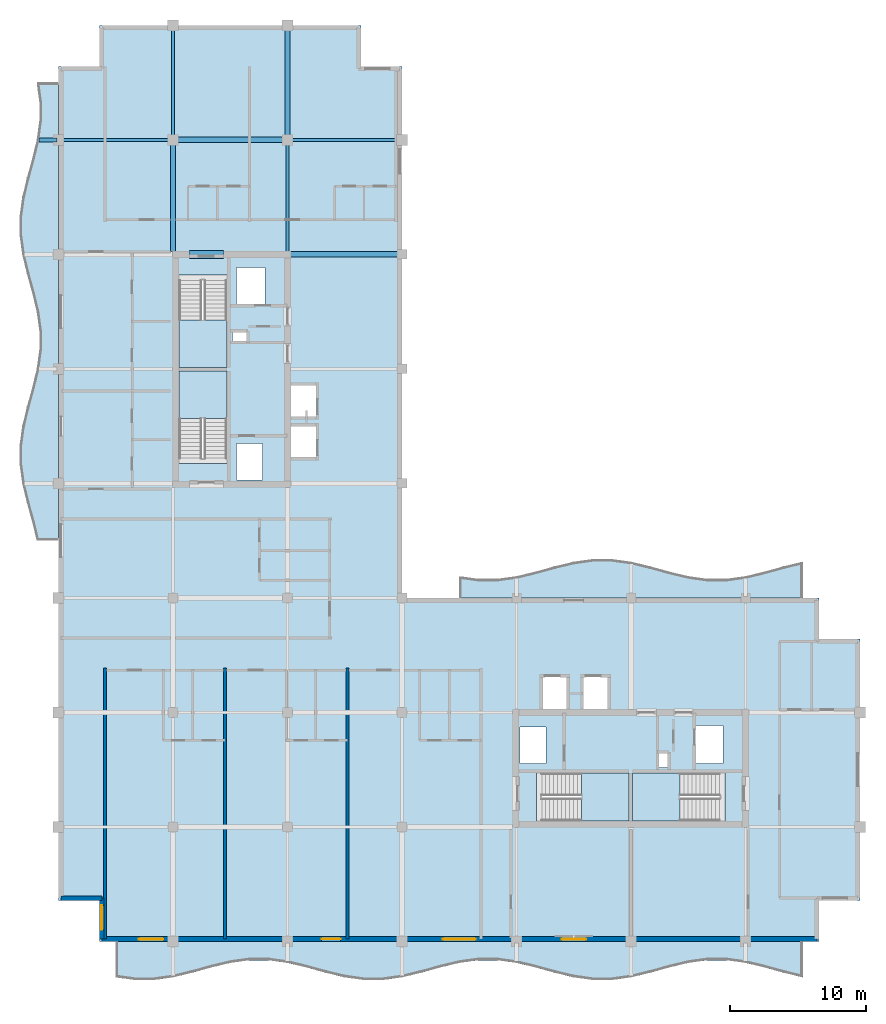
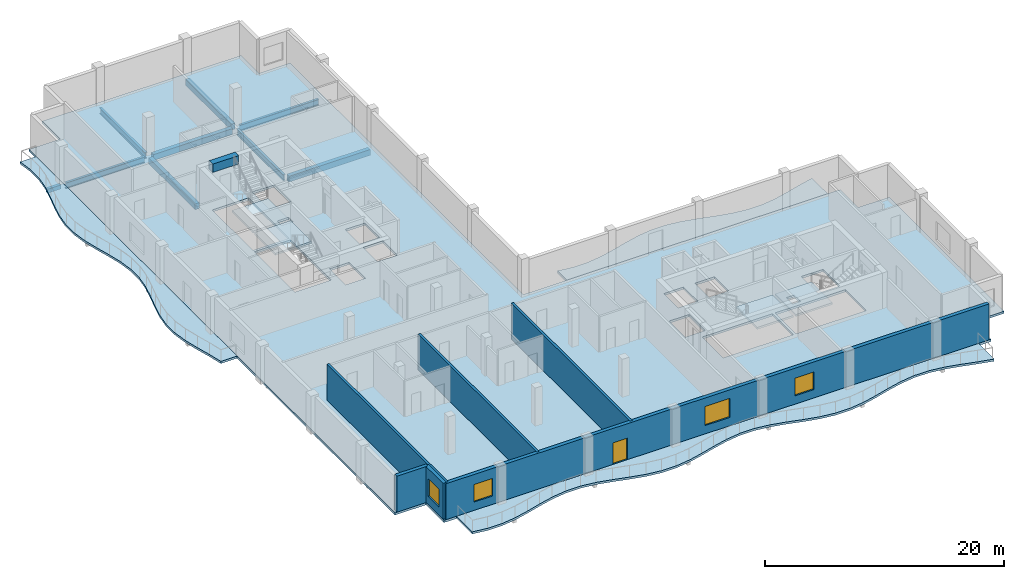
# One storey, part 2 of 10: 10 beams, 8 slabs, 6 walls, 4 windows, 1 door, 5 openings, 4 elements without a shape of their own.
"""IFC4 building model written with IfcOpenShell, lengths in metres."""

from ifc_helpers import new_model, si_unit, direction, frame, frame_2d, origin, origin_2d, place, context, subcontext, project, spatial, polyline, rectangle, i_section, outline, extrude, material, layer, layer_set, material_profile, profile_set, type_object, element, fill, aggregate, save


model = new_model("IFC4")

# Units and contexts
model_context = context("Model", 3, precision=1e-05, world=origin(), true_north=direction((0.0, 1.0)))
body_context = subcontext(model_context, "Body", "Model", "MODEL_VIEW")
ifc_project = project(units=[si_unit("LENGTHUNIT", "METRE"), si_unit("AREAUNIT", "SQUARE_METRE"), si_unit("VOLUMEUNIT", "CUBIC_METRE"), si_unit("PLANEANGLEUNIT", "RADIAN"), si_unit("MASSUNIT", "GRAM", prefix="KILO")], contexts=[model_context])

# Site, building, storey
site_placement = place(None, origin())
site = spatial("IfcSite", under=ifc_project, at=site_placement, CompositionType="ELEMENT")
building_placement = place(site_placement, origin())
building = spatial("IfcBuilding", under=site, at=building_placement, Name="Koriwani Terraces Tower", CompositionType="ELEMENT")
storey_placement = place(building_placement, frame((0.0, 0.0, 304.699951171875)))
storey = spatial("IfcBuildingStorey", under=building, at=storey_placement, Name="L75", CompositionType="ELEMENT", Elevation=304.699951171875)

# Beams
ifc_material_1 = material(Name="Concrete C40/50", Category="concrete")
ifc_material_profile_1 = material_profile(ifc_material_1, rectangle(XDim=0.300048828125, YDim=0.39990234375, at=origin_2d()), Name="Concrete C40/50", Category="LoadBearing")
ifc_profile_set_1 = profile_set([ifc_material_profile_1], Name="Concrete C40/50")
beam_type_1 = type_object("IfcBeamType", Name="BEAM_RC_BALCONY_RIB_300X400", PredefinedType="JOIST", material=ifc_profile_set_1)
beam_1_placement = place(storey_placement, frame((6.980224609375, 67.199951171875, -0.429931640625), z_axis=(1.0, 0.0, 0.0), x_axis=(0.0, 1.0, 0.0)))
element("IfcBeam", 1, at=beam_1_placement, inside=storey, type_object=beam_type_1, Name="L75 Balcony Bracket Rib W-4", PredefinedType="JOIST", context=body_context, shape_type="SweptSolid", body=[
    extrude(rectangle(XDim=0.300048828125, YDim=0.39990234375, at=origin_2d()), origin(), (0.0, 0.0, 1.0), 1.31982421875),
])
ifc_material_2 = material(Name="Concrete C50/60", Category="concrete")
ifc_material_profile_2 = material_profile(ifc_material_2, rectangle(XDim=0.60009765625, YDim=0.85009765625, at=origin_2d()), Name="Concrete C50/60", Category="LoadBearing")
ifc_profile_set_2 = profile_set([ifc_material_profile_2], Name="Concrete C50/60")
beam_type_2 = type_object("IfcBeamType", Name="BEAM_RC_COUPLING_600X850", PredefinedType="LINTEL", material=ifc_profile_set_2)
beam_2_placement = place(storey_placement, frame((18.0, 58.800048828125, 3.2451171875), z_axis=(1.0, 0.0, 0.0), x_axis=(0.0, 1.0, 0.0)))
element("IfcBeam", 2, at=beam_2_placement, inside=storey, type_object=beam_type_2, Name="L75 Core Coupling Lintel Beam WN", PredefinedType="LINTEL", context=body_context, shape_type="SweptSolid", body=[
    extrude(rectangle(XDim=0.60009765625, YDim=0.85009765625, at=origin_2d()), origin(), (0.0, 0.0, 1.0), 2.5),
])
ifc_material_profile_3 = material_profile(ifc_material_1, rectangle(XDim=0.39990234375, YDim=0.60009765625, at=origin_2d()), Name="Concrete C40/50", Category="LoadBearing")
ifc_profile_set_3 = profile_set([ifc_material_profile_3], Name="Concrete C40/50")
beam_type_3 = type_object("IfcBeamType", Name="BEAM_RC_GRID_400X600", PredefinedType="BEAM", material=ifc_profile_set_3)
beam_3_placement = place(storey_placement, frame((25.429931640625, 58.800048828125, -0.530029296875), z_axis=(1.0, 0.0, 0.0), x_axis=(0.0, 1.0, 0.0)))
element("IfcBeam", 3, at=beam_3_placement, inside=storey, type_object=beam_type_3, Name="L75 Grid Beam H (25.2-33.6m)", PredefinedType="BEAM", context=body_context, shape_type="SweptSolid", body=[
    extrude(rectangle(XDim=0.39990234375, YDim=0.60009765625, at=origin_2d()), origin(), (0.0, 0.0, 1.0), 7.840087890625),
])
beam_4_placement = place(storey_placement, frame((17.179931640625, 67.199951171875, -0.530029296875), z_axis=(1.0, 0.0, 0.0), x_axis=(0.0, 1.0, 0.0)))
element("IfcBeam", 4, at=beam_4_placement, inside=storey, type_object=beam_type_3, Name="L75 Grid Beam I (16.8-25.2m)", PredefinedType="BEAM", context=body_context, shape_type="SweptSolid", body=[
    extrude(rectangle(XDim=0.39990234375, YDim=0.60009765625, at=origin_2d()), origin(), (0.0, 0.0, 1.0), 7.64013671875),
])
beam_5_placement = place(storey_placement, frame((16.800048828125, 59.030029296875, -0.530029296875), z_axis=(0.0, 1.0, 0.0), x_axis=(-1.0, 0.0, 0.0)))
element("IfcBeam", 5, at=beam_5_placement, inside=storey, type_object=beam_type_3, Name="L75 Grid Beam 3 (58.8-67.2m)", PredefinedType="BEAM", context=body_context, shape_type="SweptSolid", body=[
    extrude(rectangle(XDim=0.39990234375, YDim=0.60009765625, at=origin_2d()), origin(), (0.0, 0.0, 1.0), 7.7900390625),
])
beam_6_placement = place(storey_placement, frame((25.199951171875, 67.580078125, -0.530029296875), z_axis=(0.0, 1.0, 0.0), x_axis=(-1.0, 0.0, 0.0)))
element("IfcBeam", 6, at=beam_6_placement, inside=storey, type_object=beam_type_3, Name="L75 Grid Beam 4 (67.2-75.6m)", PredefinedType="BEAM", context=body_context, shape_type="SweptSolid", body=[
    extrude(rectangle(XDim=0.39990234375, YDim=0.60009765625, at=origin_2d()), origin(), (0.0, 0.0, 1.0), 7.639892578125),
])
ifc_material_3 = material(Name="Steel ASTM A572 Grade 50", Category="steel")
ifc_material_profile_4 = material_profile(ifc_material_3, i_section(OverallWidth=0.22900390625, OverallDepth=0.611083984375, WebThickness=0.0126953125, FlangeThickness=0.022216796875, at=origin_2d()), Name="Steel ASTM A572 Grade 50", Category="LoadBearing")
ifc_profile_set_4 = profile_set([ifc_material_profile_4], Name="Steel ASTM A572 Grade 50")
beam_type_4 = type_object("IfcBeamType", Name="STEEL_BEAM_W610X155", PredefinedType="BEAM", material=ifc_profile_set_4)
for number, where, z_axis, x_axis, name in (
    (7, (8.780029296875, 67.199951171875, -0.535400390625), (1.0, 0.0, 0.0), (0.0, 1.0, 0.0), "L75 Grid Beam I (8.4-16.8m)"),
    (8, (25.580078125, 67.199951171875, -0.535400390625), (1.0, 0.0, 0.0), (0.0, 1.0, 0.0), "L75 Grid Beam I (25.2-33.6m)"),
    (9, (16.800048828125, 67.580078125, -0.535400390625), (0.0, 1.0, 0.0), (-1.0, 0.0, 0.0), "L75 Grid Beam 3 (67.2-75.6m)"),
):
    element("IfcBeam", number, at=place(storey_placement, frame(where, z_axis=z_axis, x_axis=x_axis)), inside=storey, type_object=beam_type_4, Name=name, PredefinedType="BEAM", context=body_context, shape_type="SweptSolid", body=[
        extrude(i_section(OverallWidth=0.22900390625, OverallDepth=0.611083984375, WebThickness=0.0126953125, FlangeThickness=0.022216796875, at=origin_2d()), origin(), (0.0, 0.0, 1.0), 7.639892578125),
    ])
beam_7_placement = place(storey_placement, frame((25.199951171875, 59.030029296875, -0.535400390625), z_axis=(0.0, 1.0, 0.0), x_axis=(-1.0, 0.0, 0.0)))
element("IfcBeam", 10, at=beam_7_placement, inside=storey, type_object=beam_type_4, Name="L75 Grid Beam 4 (58.8-67.2m)", PredefinedType="BEAM", context=body_context, shape_type="SweptSolid", body=[
    extrude(i_section(OverallWidth=0.22900390625, OverallDepth=0.611083984375, WebThickness=0.0126953125, FlangeThickness=0.022216796875, at=origin_2d()), origin(), (0.0, 0.0, 1.0), 7.7900390625),
])

# Slabs
ifc_layer_1 = layer(ifc_material_1, 0.219970703125, Name="Concrete C40/50")
ifc_layer_set_1 = layer_set([ifc_layer_1], Name="Concrete C40/50")
slab_type_1 = type_object("IfcSlabType", Name="SLAB_BALCONY_220", PredefinedType="FLOOR", material=ifc_layer_set_1)
slab_1_placement = place(storey_placement, frame((0.0, 0.0, -0.219970703125)))
element("IfcSlab", 11, at=slab_1_placement, inside=storey, type_object=slab_type_1, Name="L75 Quilted Circular-Arc Balcony (S)", PredefinedType="FLOOR", context=body_context, shape_type="SweptSolid", body=[
    extrude(outline(polyline([(12.60009765625, 8.39990234375), (14.0, 8.39990234375), (15.39990234375, 8.39990234375), (16.800048828125, 8.39990234375), (18.199951171875, 8.39990234375), (19.60009765625, 8.39990234375), (21.0, 8.39990234375), (22.39990234375, 8.39990234375), (23.800048828125, 8.39990234375), (25.199951171875, 8.39990234375), (26.60009765625, 8.39990234375), (28.0, 8.39990234375), (29.39990234375, 8.39990234375), (30.800048828125, 8.39990234375), (32.199951171875, 8.39990234375), (33.60009765625, 8.39990234375), (35.0, 8.39990234375), (36.39990234375, 8.39990234375), (37.800048828125, 8.39990234375), (39.199951171875, 8.39990234375), (40.60009765625, 8.39990234375), (42.0, 8.39990234375), (43.39990234375, 8.39990234375), (44.800048828125, 8.39990234375), (46.199951171875, 8.39990234375), (47.60009765625, 8.39990234375), (49.0, 8.39990234375), (50.39990234375, 8.39990234375), (51.800048828125, 8.39990234375), (53.199951171875, 8.39990234375), (54.60009765625, 8.39990234375), (56.0, 8.39990234375), (57.39990234375, 8.39990234375), (58.800048828125, 8.39990234375), (60.199951171875, 8.39990234375), (61.60009765625, 8.39990234375), (63.0, 8.39990234375), (63.0, 5.769775390625), (61.60009765625, 6.10595703125), (60.199951171875, 6.494140625), (58.800048828125, 6.830322265625), (57.39990234375, 7.0244140625), (56.0, 7.0244140625), (54.60009765625, 6.830322265625), (53.199951171875, 6.494140625), (51.800048828125, 6.10595703125), (50.39990234375, 5.769775390625), (49.0, 5.57568359375), (47.60009765625, 5.57568359375), (46.199951171875, 5.769775390625), (44.800048828125, 6.10595703125), (43.39990234375, 6.494140625), (42.0, 6.830322265625), (40.60009765625, 7.0244140625), (39.199951171875, 7.0244140625), (37.800048828125, 6.830322265625), (36.39990234375, 6.494140625), (35.0, 6.10595703125), (33.60009765625, 5.769775390625), (32.199951171875, 5.57568359375), (30.800048828125, 5.57568359375), (29.39990234375, 5.769775390625), (28.0, 6.10595703125), (26.60009765625, 6.494140625), (25.199951171875, 6.830322265625), (23.800048828125, 7.0244140625), (22.39990234375, 7.0244140625), (21.0, 6.830322265625), (19.60009765625, 6.494140625), (18.199951171875, 6.10595703125), (16.800048828125, 5.769775390625), (15.39990234375, 5.57568359375), (14.0, 5.57568359375), (12.60009765625, 5.769775390625), (12.60009765625, 8.39990234375)])), origin(), (0.0, 0.0, 1.0), 0.219970703125),
])
slab_2_placement = place(storey_placement, frame((0.0, 0.0, -0.219970703125)))
element("IfcSlab", 12, at=slab_2_placement, inside=storey, type_object=slab_type_1, Name="L75 Quilted Circular-Arc Balcony (W)", PredefinedType="FLOOR", context=body_context, shape_type="SweptSolid", body=[
    extrude(outline(polyline([(8.39990234375, 37.800048828125), (8.39990234375, 39.199951171875), (8.39990234375, 40.60009765625), (8.39990234375, 42.0), (8.39990234375, 43.39990234375), (8.39990234375, 44.800048828125), (8.39990234375, 46.199951171875), (8.39990234375, 47.60009765625), (8.39990234375, 49.0), (8.39990234375, 50.39990234375), (8.39990234375, 51.800048828125), (8.39990234375, 53.199951171875), (8.39990234375, 54.60009765625), (8.39990234375, 56.0), (8.39990234375, 57.39990234375), (8.39990234375, 58.800048828125), (8.39990234375, 60.199951171875), (8.39990234375, 61.60009765625), (8.39990234375, 63.0), (8.39990234375, 64.39990234375), (8.39990234375, 65.800048828125), (8.39990234375, 67.199951171875), (8.39990234375, 68.60009765625), (8.39990234375, 70.0), (8.39990234375, 71.39990234375), (6.830322265625, 71.39990234375), (7.0244140625, 70.0), (7.0244140625, 68.60009765625), (6.830322265625, 67.199951171875), (6.494140625, 65.800048828125), (6.10595703125, 64.39990234375), (5.769775390625, 63.0), (5.57568359375, 61.60009765625), (5.57568359375, 60.199951171875), (5.769775390625, 58.800048828125), (6.10595703125, 57.39990234375), (6.494140625, 56.0), (6.830322265625, 54.60009765625), (7.0244140625, 53.199951171875), (7.0244140625, 51.800048828125), (6.830322265625, 50.39990234375), (6.494140625, 49.0), (6.10595703125, 47.60009765625), (5.769775390625, 46.199951171875), (5.57568359375, 44.800048828125), (5.57568359375, 43.39990234375), (5.769775390625, 42.0), (6.10595703125, 40.60009765625), (6.494140625, 39.199951171875), (6.830322265625, 37.800048828125), (8.39990234375, 37.800048828125)])), origin(), (0.0, 0.0, 1.0), 0.219970703125),
])
slab_3_placement = place(storey_placement, frame((0.0, 0.0, -0.219970703125)))
element("IfcSlab", 13, at=slab_3_placement, inside=storey, type_object=slab_type_1, Name="L75 Quilted Circular-Arc Balcony (NE)", PredefinedType="FLOOR", context=body_context, shape_type="SweptSolid", body=[
    extrude(outline(polyline([(63.0, 33.60009765625), (61.60009765625, 33.60009765625), (60.199951171875, 33.60009765625), (58.800048828125, 33.60009765625), (57.39990234375, 33.60009765625), (56.0, 33.60009765625), (54.60009765625, 33.60009765625), (53.199951171875, 33.60009765625), (51.800048828125, 33.60009765625), (50.39990234375, 33.60009765625), (49.0, 33.60009765625), (47.60009765625, 33.60009765625), (46.199951171875, 33.60009765625), (44.800048828125, 33.60009765625), (43.39990234375, 33.60009765625), (42.0, 33.60009765625), (40.60009765625, 33.60009765625), (39.199951171875, 33.60009765625), (37.800048828125, 33.60009765625), (37.800048828125, 35.169677734375), (39.199951171875, 34.9755859375), (40.60009765625, 34.9755859375), (42.0, 35.169677734375), (43.39990234375, 35.505859375), (44.800048828125, 35.89404296875), (46.199951171875, 36.230224609375), (47.60009765625, 36.42431640625), (49.0, 36.42431640625), (50.39990234375, 36.230224609375), (51.800048828125, 35.89404296875), (53.199951171875, 35.505859375), (54.60009765625, 35.169677734375), (56.0, 34.9755859375), (57.39990234375, 34.9755859375), (58.800048828125, 35.169677734375), (60.199951171875, 35.505859375), (61.60009765625, 35.89404296875), (63.0, 36.230224609375), (63.0, 33.60009765625)])), origin(), (0.0, 0.0, 1.0), 0.219970703125),
])
ifc_layer_2 = layer(ifc_material_1, 0.22998046875, Name="Concrete C40/50")
ifc_layer_set_2 = layer_set([ifc_layer_2], Name="Concrete C40/50")
slab_type_2 = type_object("IfcSlabType", Name="SLAB_RES_TYP_230", PredefinedType="FLOOR", material=ifc_layer_set_2)
slab_4_placement = place(storey_placement, frame((0.0, 0.0, -0.22998046875)))
element("IfcSlab", 14, at=slab_4_placement, inside=storey, type_object=slab_type_2, Name="L75 Structural Floor Slab", PredefinedType="FLOOR", context=body_context, shape_type="SweptSolid", body=[
    extrude(outline(polyline([(11.39990234375, 8.39990234375), (64.199951171875, 8.39990234375), (64.199951171875, 11.39990234375), (67.199951171875, 11.39990234375), (67.199951171875, 30.60009765625), (64.199951171875, 30.60009765625), (64.199951171875, 33.60009765625), (33.60009765625, 33.60009765625), (33.60009765625, 72.60009765625), (30.60009765625, 72.60009765625), (30.60009765625, 75.60009765625), (11.39990234375, 75.60009765625), (11.39990234375, 72.60009765625), (8.39990234375, 72.60009765625), (8.39990234375, 11.39990234375), (11.39990234375, 11.39990234375), (11.39990234375, 8.39990234375)]), holes=[polyline([(17.25, 43.4599609375), (20.75, 43.4599609375), (20.75, 50.25), (17.25, 50.25), (17.25, 43.4599609375)]), polyline([(17.25, 50.5), (20.75, 50.5), (20.75, 57.2900390625), (17.25, 57.2900390625), (17.25, 50.5)]), polyline([(43.4599609375, 17.25), (50.25, 17.25), (50.25, 20.75), (43.4599609375, 20.75), (43.4599609375, 17.25)]), polyline([(50.5, 17.25), (57.2900390625, 17.25), (57.2900390625, 20.75), (50.5, 20.75), (50.5, 17.25)]), polyline([(25.449951171875, 43.85009765625), (27.35009765625, 43.85009765625), (27.35009765625, 46.25), (25.449951171875, 46.25), (25.449951171875, 43.85009765625)]), polyline([(25.449951171875, 46.85009765625), (27.35009765625, 46.85009765625), (27.35009765625, 49.25), (25.449951171875, 49.25), (25.449951171875, 46.85009765625)]), polyline([(43.85009765625, 25.449951171875), (45.75, 25.449951171875), (45.75, 27.85009765625), (43.85009765625, 27.85009765625), (43.85009765625, 25.449951171875)]), polyline([(46.85009765625, 25.449951171875), (48.75, 25.449951171875), (48.75, 27.85009765625), (46.85009765625, 27.85009765625), (46.85009765625, 25.449951171875)]), polyline([(21.449951171875, 55.050048828125), (23.550048828125, 55.050048828125), (23.550048828125, 57.85009765625), (21.449951171875, 57.85009765625), (21.449951171875, 55.050048828125)]), polyline([(55.050048828125, 21.449951171875), (57.14990234375, 21.449951171875), (57.14990234375, 24.25), (55.050048828125, 24.25), (55.050048828125, 21.449951171875)]), polyline([(21.449951171875, 42.25), (23.35009765625, 42.25), (23.35009765625, 44.949951171875), (21.449951171875, 44.949951171875), (21.449951171875, 42.25)]), polyline([(42.25, 21.449951171875), (44.14990234375, 21.449951171875), (44.14990234375, 24.14990234375), (42.25, 24.14990234375), (42.25, 21.449951171875)]), polyline([(21.14990234375, 52.419921875), (22.219970703125, 52.419921875), (22.219970703125, 53.179931640625), (21.14990234375, 53.179931640625), (21.14990234375, 52.419921875)]), polyline([(52.419921875, 21.14990234375), (53.179931640625, 21.14990234375), (53.179931640625, 22.219970703125), (52.419921875, 22.219970703125), (52.419921875, 21.14990234375)])]), origin(), (0.0, 0.0, 1.0), 0.22998046875),
])

# Stair, slab
stair_type = type_object("IfcStairType", Name="STAIR_CORE_DOGLEG_1650", PredefinedType="TWO_STRAIGHT_RUN_STAIR", material=ifc_material_1)
stair_1_placement = place(storey_placement, origin())
stair_1 = element("IfcStair", 15, at=stair_1_placement, inside=storey, type_object=stair_type, Name="L75 West Core Exit Stair 1", PredefinedType="HALF_TURN_STAIR")
ifc_layer_3 = layer(ifc_material_1, 0.199951171875, Name="Concrete C40/50")
ifc_layer_set_3 = layer_set([ifc_layer_3], Name="Concrete C40/50")
slab_type_3 = type_object("IfcSlabType", Name="SLAB_STAIR_LANDING_200", PredefinedType="LANDING", material=ifc_layer_set_3)
slab_5_placement = place(storey_placement, frame((0.0, 0.0, 1.75)))
slab_5 = element("IfcSlab", 16, at=slab_5_placement, type_object=slab_type_3, Name="ST-W1 landing 1", PredefinedType="LANDING", context=body_context, shape_type="SweptSolid", body=[
    extrude(outline(polyline([(20.75, 46.75), (20.75, 50.25), (17.25, 50.25), (17.25, 46.75), (20.75, 46.75)])), origin(), (0.0, 0.0, 1.0), 0.199951171875),
])
aggregate(stair_1, [slab_5])

stair_2_placement = place(storey_placement, origin())
stair_2 = element("IfcStair", 17, at=stair_2_placement, inside=storey, type_object=stair_type, Name="L75 West Core Exit Stair 2", PredefinedType="HALF_TURN_STAIR")
slab_6_placement = place(storey_placement, frame((0.0, 0.0, 1.75)))
slab_6 = element("IfcSlab", 18, at=slab_6_placement, type_object=slab_type_3, Name="ST-W2 landing 1", PredefinedType="LANDING", context=body_context, shape_type="SweptSolid", body=[
    extrude(outline(polyline([(17.25, 54.0), (17.25, 50.5), (20.75, 50.5), (20.75, 54.0), (17.25, 54.0)])), origin(), (0.0, 0.0, 1.0), 0.199951171875),
])
aggregate(stair_2, [slab_6])

stair_3_placement = place(storey_placement, origin())
stair_3 = element("IfcStair", 19, at=stair_3_placement, inside=storey, type_object=stair_type, Name="L75 East Core Exit Stair 1", PredefinedType="HALF_TURN_STAIR")
slab_7_placement = place(storey_placement, frame((0.0, 0.0, 1.75)))
slab_7 = element("IfcSlab", 20, at=slab_7_placement, type_object=slab_type_3, Name="ST-E1 landing 1", PredefinedType="LANDING", context=body_context, shape_type="SweptSolid", body=[
    extrude(outline(polyline([(46.75, 17.25), (50.25, 17.25), (50.25, 20.75), (46.75, 20.75), (46.75, 17.25)])), origin(), (0.0, 0.0, 1.0), 0.199951171875),
])
aggregate(stair_3, [slab_7])

stair_4_placement = place(storey_placement, origin())
stair_4 = element("IfcStair", 21, at=stair_4_placement, inside=storey, type_object=stair_type, Name="L75 East Core Exit Stair 2", PredefinedType="HALF_TURN_STAIR")
slab_8_placement = place(storey_placement, frame((0.0, 0.0, 1.75)))
slab_8 = element("IfcSlab", 22, at=slab_8_placement, type_object=slab_type_3, Name="ST-E2 landing 1", PredefinedType="LANDING", context=body_context, shape_type="SweptSolid", body=[
    extrude(outline(polyline([(54.0, 20.75), (50.5, 20.75), (50.5, 17.25), (54.0, 17.25), (54.0, 20.75)])), origin(), (0.0, 0.0, 1.0), 0.199951171875),
])
aggregate(stair_4, [slab_8])

# Walls
ifc_material_4 = material(Name="Autoclaved Cellular Concrete Blockwork", Category="masonry")
ifc_layer_4 = layer(ifc_material_4, 0.219970703125, Name="Autoclaved Cellular Concrete Blockwork")
ifc_layer_set_4 = layer_set([ifc_layer_4], Name="Autoclaved Cellular Concrete Blockwork")
wall_type_1 = type_object("IfcWallType", Name="WALL_DEMISING_220", PredefinedType="PARTITIONING", material=ifc_layer_set_4)
for number, where, z_axis, x_axis, name in (
    (23, (11.800048828125, 8.60009765625, 0.0), (0.0, 0.0, 1.0), (0.0, 1.0, 0.0), "L75 Interior Wall WRDEM-L75-SW-0"),
    (24, (20.60009765625, 8.60009765625, 0.0), (0.0, 0.0, 1.0), (0.0, 1.0, 0.0), "L75 Interior Wall WRDEM-L75-SW-1"),
    (25, (29.60009765625, 8.60009765625, 0.0), (0.0, 0.0, 1.0), (0.0, 1.0, 0.0), "L75 Interior Wall WRDEM-L75-SW-2"),
):
    element("IfcWall", number, at=place(storey_placement, frame(where, z_axis=z_axis, x_axis=x_axis)), inside=storey, type_object=wall_type_1, Name=name, PredefinedType="PARTITIONING", context=body_context, shape_type="SweptSolid", body=[
        extrude(rectangle(XDim=19.8798828125, YDim=0.219970703125, at=frame_2d((9.93994140625, 0.0))), origin(), (0.0, 0.0, 1.0), 3.670166015625),
    ])

# Wall, opening, window
ifc_layer_5 = layer(ifc_material_2, 0.35009765625, Name="Concrete C50/60")
ifc_layer_set_5 = layer_set([ifc_layer_5], Name="Concrete C50/60")
wall_type_2 = type_object("IfcWallType", Name="WALL_EXT_BRUTALIST_350", PredefinedType="STANDARD", material=ifc_layer_set_5)
wall_1_placement = place(storey_placement, frame((11.574951171875, 8.574951171875, 0.0), z_axis=(0.0, 0.0, 1.0), x_axis=(0.0, 1.0, 0.0)))
wall_1 = element("IfcWall", 26, at=wall_1_placement, inside=storey, type_object=wall_type_2, Name="L75 Fair-Faced Brutalist Exterior Wall (N0)", PredefinedType="STANDARD", context=body_context, shape_type="SweptSolid", body=[
    extrude(rectangle(XDim=3.0, YDim=0.35009765625, at=frame_2d((1.5, 0.0))), origin(), (0.0, 0.0, 1.0), 3.670166015625),
])
opening_1_placement = place(wall_1_placement, frame((0.677490234375, 0.0, 0.85009765625)))
opening_1 = element("IfcOpeningElement", 27, at=opening_1_placement, cuts=wall_1, Name="Opening W-04", PredefinedType="OPENING", context=body_context, shape_type="SweptSolid", body=[
    extrude(rectangle(XDim=1.800048828125, YDim=1.800048828125, at=frame_2d((0.89990234375, 0.89990234375))), frame((0.0, 0.18505859375, 0.0), z_axis=(0.0, -1.0, 0.0), x_axis=(1.0, 0.0, 0.0)), (0.0, 0.0, 1.0), 0.3701171875),
])
ifc_material_5 = material(Name="Tempered Laminated Low-E Glass", Category="glass")
window_type_1 = type_object("IfcWindowType", Name="WIN_RES_BED_1800X1800", PartitioningType="DOUBLE_PANEL_VERTICAL", PredefinedType="WINDOW", material=ifc_material_5)
window_1_placement = place(opening_1_placement, origin())
window_1 = element("IfcWindow", 28, at=window_1_placement, inside=storey, type_object=window_type_1, Name="L75 Exterior Window (N0-R31)", OverallHeight=1.800048828125, OverallWidth=1.800048828125, PartitioningType="SINGLE_PANEL", PredefinedType="WINDOW", context=body_context, shape_type="SweptSolid", body=[
    extrude(rectangle(XDim=1.800048828125, YDim=1.800048828125, at=frame_2d((0.89990234375, 0.89990234375))), frame((0.0, 0.030029296875, 0.0), z_axis=(0.0, -1.0, 0.0), x_axis=(1.0, 0.0, 0.0)), (0.0, 0.0, 1.0), 0.06005859375),
])
fill(opening_1, window_1)

# Wall
wall_2_placement = place(storey_placement, frame((11.574951171875, 11.574951171875, 0.0), z_axis=(0.0, 0.0, 1.0), x_axis=(-1.0, 0.0, 0.0)))
element("IfcWall", 29, at=wall_2_placement, inside=storey, type_object=wall_type_2, Name="L75 Fair-Faced Brutalist Exterior Wall (N1)", PredefinedType="STANDARD", context=body_context, shape_type="SweptSolid", body=[
    extrude(rectangle(XDim=3.0, YDim=0.35009765625, at=frame_2d((1.5, 0.0))), origin(), (0.0, 0.0, 1.0), 3.670166015625),
])

# Wall, openings, door, windows
wall_3_placement = place(storey_placement, frame((64.02490234375, 8.574951171875, 0.0), z_axis=(0.0, 0.0, 1.0), x_axis=(-1.0, 0.0, 0.0)))
wall_3 = element("IfcWall", 30, at=wall_3_placement, inside=storey, type_object=wall_type_2, Name="L75 Fair-Faced Brutalist Exterior Wall (S)", PredefinedType="STANDARD", context=body_context, shape_type="SweptSolid", body=[
    extrude(rectangle(XDim=52.449951171875, YDim=0.35009765625, at=frame_2d((26.22509765625, 0.0))), origin(), (0.0, 0.0, 1.0), 3.670166015625),
])
opening_2_placement = place(wall_3_placement, frame((34.925048828125, 0.0, 0.0)))
opening_2 = element("IfcOpeningElement", 31, at=opening_2_placement, cuts=wall_3, Name="Opening D-09", PredefinedType="OPENING", context=body_context, shape_type="SweptSolid", body=[
    extrude(rectangle(XDim=1.39990234375, YDim=2.199951171875, at=frame_2d((0.699951171875, 1.10009765625))), frame((0.0, 0.18505859375, 0.0), z_axis=(0.0, -1.0, 0.0), x_axis=(1.0, 0.0, 0.0)), (0.0, 0.0, 1.0), 0.3701171875),
])
opening_3_placement = place(wall_3_placement, frame((25.02490234375, 0.0, 0.85009765625)))
opening_3 = element("IfcOpeningElement", 32, at=opening_3_placement, cuts=wall_3, Name="Opening W-03", PredefinedType="OPENING", context=body_context, shape_type="SweptSolid", body=[
    extrude(rectangle(XDim=2.39990234375, YDim=1.949951171875, at=frame_2d((1.199951171875, 0.97509765625))), frame((0.0, 0.18505859375, 0.0), z_axis=(0.0, -1.0, 0.0), x_axis=(1.0, 0.0, 0.0)), (0.0, 0.0, 1.0), 0.3701171875),
])
opening_4_placement = place(wall_3_placement, frame((16.925048828125, 0.0, 0.85009765625)))
opening_4 = element("IfcOpeningElement", 33, at=opening_4_placement, cuts=wall_3, Name="Opening W-04", PredefinedType="OPENING", context=body_context, shape_type="SweptSolid", body=[
    extrude(rectangle(XDim=1.800048828125, YDim=1.800048828125, at=frame_2d((0.89990234375, 0.89990234375))), frame((0.0, 0.18505859375, 0.0), z_axis=(0.0, -1.0, 0.0), x_axis=(1.0, 0.0, 0.0)), (0.0, 0.0, 1.0), 0.3701171875),
])
opening_5_placement = place(wall_3_placement, frame((47.925048828125, 0.0, 0.85009765625)))
opening_5 = element("IfcOpeningElement", 34, at=opening_5_placement, cuts=wall_3, Name="Opening W-04", PredefinedType="OPENING", context=body_context, shape_type="SweptSolid", body=[
    extrude(rectangle(XDim=1.800048828125, YDim=1.800048828125, at=frame_2d((0.89990234375, 0.89990234375))), frame((0.0, 0.18505859375, 0.0), z_axis=(0.0, -1.0, 0.0), x_axis=(1.0, 0.0, 0.0)), (0.0, 0.0, 1.0), 0.3701171875),
])
ifc_material_6 = material(Name="Anodised Bronze Aluminium", Category="aluminium")
door_type = type_object("IfcDoorType", Name="DOOR_BALCONY_GLAZED_1400X2200", OperationType="NOTDEFINED", PredefinedType="DOOR", material=ifc_material_6)
door_placement = place(opening_2_placement, origin())
door = element("IfcDoor", 35, at=door_placement, inside=storey, type_object=door_type, Name="L75 South Balcony Glazed Door", OperationType="SINGLE_SWING_LEFT", OverallHeight=2.199951171875, OverallWidth=1.39990234375, PredefinedType="DOOR", context=body_context, shape_type="SweptSolid", body=[
    extrude(rectangle(XDim=1.39990234375, YDim=2.199951171875, at=frame_2d((0.699951171875, 1.10009765625))), frame((0.0, 0.02490234375, 0.0), z_axis=(0.0, -1.0, 0.0), x_axis=(1.0, 0.0, 0.0)), (0.0, 0.0, 1.0), 0.050048828125),
])
fill(opening_2, door)
window_2_placement = place(opening_4_placement, origin())
window_2 = element("IfcWindow", 36, at=window_2_placement, inside=storey, type_object=window_type_1, Name="L75 Exterior Window (S-12)", OverallHeight=1.800048828125, OverallWidth=1.800048828125, PartitioningType="SINGLE_PANEL", PredefinedType="WINDOW", context=body_context, shape_type="SweptSolid", body=[
    extrude(rectangle(XDim=1.800048828125, YDim=1.800048828125, at=frame_2d((0.89990234375, 0.89990234375))), frame((0.0, 0.030029296875, 0.0), z_axis=(0.0, -1.0, 0.0), x_axis=(1.0, 0.0, 0.0)), (0.0, 0.0, 1.0), 0.06005859375),
])
fill(opening_4, window_2)
window_3_placement = place(opening_5_placement, origin())
window_3 = element("IfcWindow", 37, at=window_3_placement, inside=storey, type_object=window_type_1, Name="L75 Exterior Window (S-R31)", OverallHeight=1.800048828125, OverallWidth=1.800048828125, PartitioningType="SINGLE_PANEL", PredefinedType="WINDOW", context=body_context, shape_type="SweptSolid", body=[
    extrude(rectangle(XDim=1.800048828125, YDim=1.800048828125, at=frame_2d((0.89990234375, 0.89990234375))), frame((0.0, 0.030029296875, 0.0), z_axis=(0.0, -1.0, 0.0), x_axis=(1.0, 0.0, 0.0)), (0.0, 0.0, 1.0), 0.06005859375),
])
fill(opening_5, window_3)
window_type_2 = type_object("IfcWindowType", Name="WIN_RES_LIVING_2400X1950", PartitioningType="DOUBLE_PANEL_VERTICAL", PredefinedType="WINDOW", material=ifc_material_5)
window_4_placement = place(opening_3_placement, origin())
window_4 = element("IfcWindow", 38, at=window_4_placement, inside=storey, type_object=window_type_2, Name="L75 Exterior Window (S-9)", OverallHeight=1.949951171875, OverallWidth=2.39990234375, PartitioningType="SINGLE_PANEL", PredefinedType="WINDOW", context=body_context, shape_type="SweptSolid", body=[
    extrude(rectangle(XDim=2.39990234375, YDim=1.949951171875, at=frame_2d((1.199951171875, 0.97509765625))), frame((0.0, 0.030029296875, 0.0), z_axis=(0.0, -1.0, 0.0), x_axis=(1.0, 0.0, 0.0)), (0.0, 0.0, 1.0), 0.06005859375),
])
fill(opening_3, window_4)

save(model, "model.ifc")
